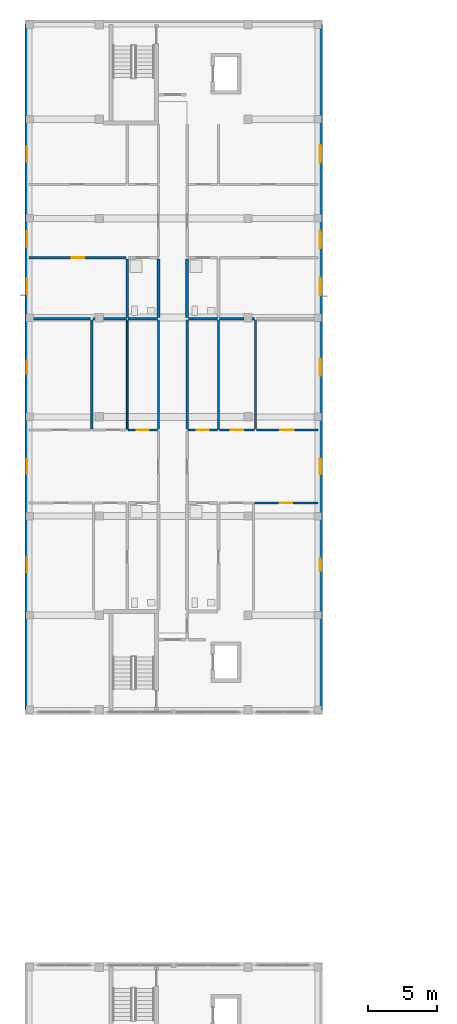
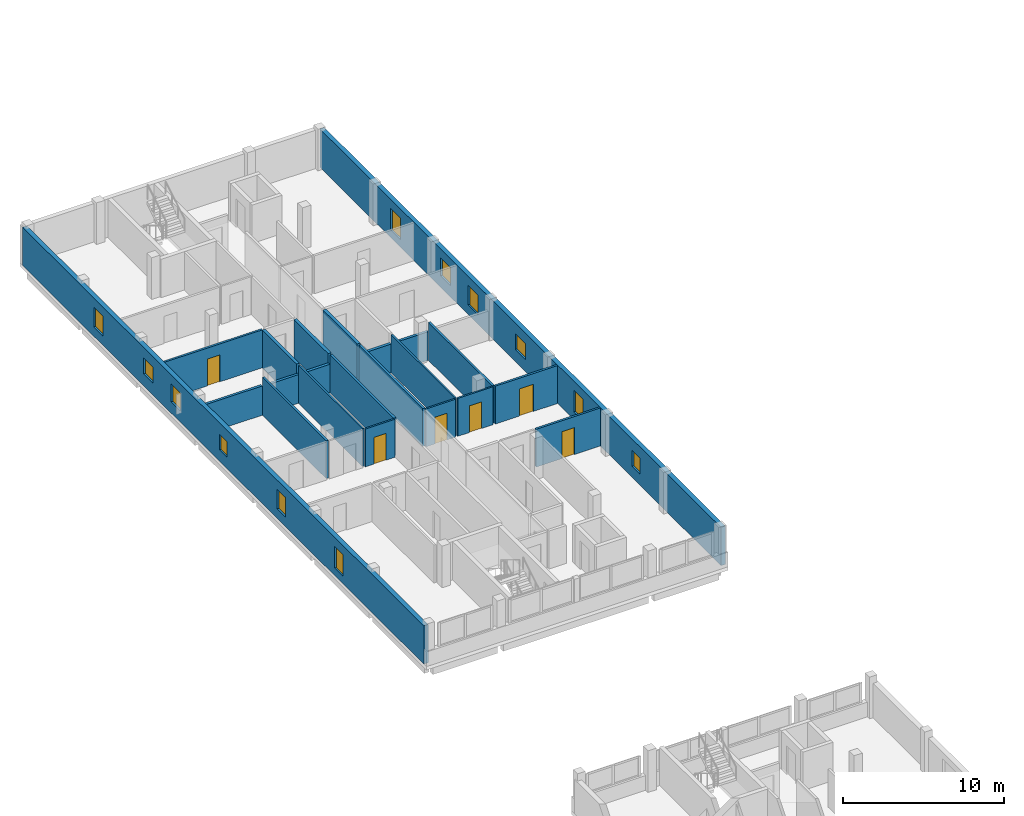
# One storey, part 17 of 38: 22 walls, 12 windows, 6 doors, 18 openings.
"""IFC4 building model written with IfcOpenShell, lengths in metres."""

from ifc_helpers import new_model, si_unit, derived_unit, direction, frame, frame_2d, origin, place, context, subcontext, project, spatial, rectangle, extrude, material, layer, layer_set, type_object, element, fill, save


model = new_model("IFC4")

# Units and contexts
model_context = context("Model", 3, precision=1e-05, world=origin(), true_north=direction((0.0, 1.0)))
body_context = subcontext(model_context, "Body", "Model", "MODEL_VIEW")
ifc_project = project(units=[si_unit("LENGTHUNIT", "METRE"), si_unit("AREAUNIT", "SQUARE_METRE"), si_unit("VOLUMEUNIT", "CUBIC_METRE"), si_unit("PLANEANGLEUNIT", "RADIAN"), si_unit("MASSUNIT", "GRAM", prefix="KILO"), derived_unit("THERMALTRANSMITTANCEUNIT", [(si_unit("MASSUNIT", "GRAM", prefix="KILO"), 1), (si_unit("TIMEUNIT", "SECOND"), -3), (si_unit("THERMODYNAMICTEMPERATUREUNIT", "KELVIN"), -1)])], contexts=[model_context])

# Site, building, storey
site_placement = place(None, origin())
site = spatial("IfcSite", under=ifc_project, at=site_placement, CompositionType="ELEMENT")
building_placement = place(site_placement, origin())
building = spatial("IfcBuilding", under=site, at=building_placement, Name="Ochrekiln Boulevard Commons", CompositionType="ELEMENT")
storey_placement = place(building_placement, frame((0.0, 0.0, 24.675048828125)))
storey = spatial("IfcBuildingStorey", under=building, at=storey_placement, Name="L07", CompositionType="ELEMENT", Elevation=24.675048828125)

# Wall, openings, windows
ifc_material_1 = material(Name="Desert ochre clinker brick masonry ASTM C216 Grade SW", Category="masonry")
ifc_layer_1 = layer(ifc_material_1, 0.320068359375)
ifc_layer_set_1 = layer_set([ifc_layer_1], Name="Desert ochre clinker brick masonry ASTM C216 Grade SW")
wall_type_1 = type_object("IfcWallType", Name="WL-EXT-OCHRE-320", PredefinedType="SOLIDWALL", material=ifc_layer_set_1)
wall_1_placement = place(storey_placement, frame((0.159912109375, 68.719970703125, 0.0), z_axis=(0.0, 0.0, 1.0), x_axis=(0.0, 1.0, 0.0)))
wall_1 = element("IfcWall", 1, at=wall_1_placement, inside=storey, type_object=wall_type_1, Name="Block A L07 W Exterior Wall", PredefinedType="SOLIDWALL", context=body_context, shape_type="SweptSolid", body=[
    extrude(rectangle(XDim=49.760009765625, YDim=0.320068359375, at=frame_2d((24.8798828125, 0.0))), origin(), (0.0, 0.0, 1.0), 2.89990234375),
])
opening_1_placement = place(wall_1_placement, frame((17.155029296875, 0.0, 0.715087890625)))
opening_1 = element("IfcOpeningElement", 2, at=opening_1_placement, cuts=wall_1, Name="Opening W-08", PredefinedType="OPENING", context=body_context, shape_type="SweptSolid", body=[
    extrude(rectangle(XDim=1.050048828125, YDim=1.5, at=frame_2d((0.52490234375, 0.75))), frame((0.0, 0.169921875, 0.0), z_axis=(0.0, -1.0, 0.0), x_axis=(1.0, 0.0, 0.0)), (0.0, 0.0, 1.0), 0.340087890625),
])
opening_2_placement = place(wall_1_placement, frame((10.02001953125, 0.0, 0.56494140625)))
opening_2 = element("IfcOpeningElement", 3, at=opening_2_placement, cuts=wall_1, Name="Opening W-09", PredefinedType="OPENING", context=body_context, shape_type="SweptSolid", body=[
    extrude(rectangle(XDim=1.050048828125, YDim=1.64990234375, at=frame_2d((0.52490234375, 0.824951171875))), frame((0.0, 0.169921875, 0.0), z_axis=(0.0, -1.0, 0.0), x_axis=(1.0, 0.0, 0.0)), (0.0, 0.0, 1.0), 0.340087890625),
])
opening_3_placement = place(wall_1_placement, frame((24.405029296875, 0.0, 0.85009765625)))
opening_3 = element("IfcOpeningElement", 4, at=opening_3_placement, cuts=wall_1, Name="Opening W-01", PredefinedType="OPENING", context=body_context, shape_type="SweptSolid", body=[
    extrude(rectangle(XDim=0.949951171875, YDim=1.199951171875, at=frame_2d((0.47509765625, 0.60009765625))), frame((0.0, 0.169921875, 0.0), z_axis=(0.0, -1.0, 0.0), x_axis=(1.0, 0.0, 0.0)), (0.0, 0.0, 1.0), 0.340087890625),
])
opening_4_placement = place(wall_1_placement, frame((33.583984375, 0.0, 0.89990234375)))
opening_4 = element("IfcOpeningElement", 5, at=opening_4_placement, cuts=wall_1, Name="Opening W-11", PredefinedType="OPENING", context=body_context, shape_type="SweptSolid", body=[
    extrude(rectangle(XDim=1.14990234375, YDim=1.199951171875, at=frame_2d((0.574951171875, 0.60009765625))), frame((0.0, 0.169921875, 0.0), z_axis=(0.0, -1.0, 0.0), x_axis=(1.0, 0.0, 0.0)), (0.0, 0.0, 1.0), 0.340087890625),
])
opening_5_placement = place(wall_1_placement, frame((30.174072265625, 0.0, 0.864990234375)))
opening_5 = element("IfcOpeningElement", 6, at=opening_5_placement, cuts=wall_1, Name="Opening W-12", PredefinedType="OPENING", context=body_context, shape_type="SweptSolid", body=[
    extrude(rectangle(XDim=1.14990234375, YDim=1.35009765625, at=frame_2d((0.574951171875, 0.675048828125))), frame((0.0, 0.169921875, 0.0), z_axis=(0.0, -1.0, 0.0), x_axis=(1.0, 0.0, 0.0)), (0.0, 0.0, 1.0), 0.340087890625),
])
opening_6_placement = place(wall_1_placement, frame((39.77587890625, 0.0, 0.715087890625)))
opening_6 = element("IfcOpeningElement", 7, at=opening_6_placement, cuts=wall_1, Name="Opening W-13", PredefinedType="OPENING", context=body_context, shape_type="SweptSolid", body=[
    extrude(rectangle(XDim=1.14990234375, YDim=1.5, at=frame_2d((0.574951171875, 0.75))), frame((0.0, 0.169921875, 0.0), z_axis=(0.0, -1.0, 0.0), x_axis=(1.0, 0.0, 0.0)), (0.0, 0.0, 1.0), 0.340087890625),
])
ifc_material_2 = material(Name="Thermally broken aluminium-clad oak frame", Category="aluminium")
window_type_1 = type_object("IfcWindowType", Name="WIN-EXT-01", PartitioningType="SINGLE_PANEL", PredefinedType="WINDOW", material=ifc_material_2)
window_1_placement = place(opening_3_placement, origin())
window_1 = element("IfcWindow", 8, at=window_1_placement, inside=storey, type_object=window_type_1, Name="Block A L07 Punched Masonry Window W-01", OverallHeight=1.199951171875, OverallWidth=0.949951171875, PartitioningType="SINGLE_PANEL", PredefinedType="WINDOW", context=body_context, shape_type="SweptSolid", body=[
    extrude(rectangle(XDim=0.949951171875, YDim=1.199951171875, at=frame_2d((0.47509765625, 0.60009765625))), frame((0.0, 0.030029296875, 0.0), z_axis=(0.0, -1.0, 0.0), x_axis=(1.0, 0.0, 0.0)), (0.0, 0.0, 1.0), 0.06005859375),
])
fill(opening_3, window_1)
window_type_2 = type_object("IfcWindowType", Name="WIN-EXT-08", PartitioningType="SINGLE_PANEL", PredefinedType="WINDOW", material=ifc_material_2)
window_2_placement = place(opening_1_placement, origin())
window_2 = element("IfcWindow", 9, at=window_2_placement, inside=storey, type_object=window_type_2, Name="Block A L07 Punched Masonry Window W-08", OverallHeight=1.5, OverallWidth=1.050048828125, PartitioningType="SINGLE_PANEL", PredefinedType="WINDOW", context=body_context, shape_type="SweptSolid", body=[
    extrude(rectangle(XDim=1.050048828125, YDim=1.5, at=frame_2d((0.52490234375, 0.75))), frame((0.0, 0.030029296875, 0.0), z_axis=(0.0, -1.0, 0.0), x_axis=(1.0, 0.0, 0.0)), (0.0, 0.0, 1.0), 0.06005859375),
])
fill(opening_1, window_2)
window_type_3 = type_object("IfcWindowType", Name="WIN-EXT-09", PartitioningType="SINGLE_PANEL", PredefinedType="WINDOW", material=ifc_material_2)
window_3_placement = place(opening_2_placement, origin())
window_3 = element("IfcWindow", 10, at=window_3_placement, inside=storey, type_object=window_type_3, Name="Block A L07 Punched Masonry Window W-09", OverallHeight=1.64990234375, OverallWidth=1.050048828125, PartitioningType="SINGLE_PANEL", PredefinedType="WINDOW", context=body_context, shape_type="SweptSolid", body=[
    extrude(rectangle(XDim=1.050048828125, YDim=1.64990234375, at=frame_2d((0.52490234375, 0.824951171875))), frame((0.0, 0.030029296875, 0.0), z_axis=(0.0, -1.0, 0.0), x_axis=(1.0, 0.0, 0.0)), (0.0, 0.0, 1.0), 0.06005859375),
])
fill(opening_2, window_3)
window_type_4 = type_object("IfcWindowType", Name="WIN-EXT-11", PartitioningType="SINGLE_PANEL", PredefinedType="WINDOW", material=ifc_material_2)
window_4_placement = place(opening_4_placement, origin())
window_4 = element("IfcWindow", 11, at=window_4_placement, inside=storey, type_object=window_type_4, Name="Block A L07 Punched Masonry Window W-11", OverallHeight=1.199951171875, OverallWidth=1.14990234375, PartitioningType="SINGLE_PANEL", PredefinedType="WINDOW", context=body_context, shape_type="SweptSolid", body=[
    extrude(rectangle(XDim=1.14990234375, YDim=1.199951171875, at=frame_2d((0.574951171875, 0.60009765625))), frame((0.0, 0.030029296875, 0.0), z_axis=(0.0, -1.0, 0.0), x_axis=(1.0, 0.0, 0.0)), (0.0, 0.0, 1.0), 0.06005859375),
])
fill(opening_4, window_4)
window_type_5 = type_object("IfcWindowType", Name="WIN-EXT-12", PartitioningType="SINGLE_PANEL", PredefinedType="WINDOW", material=ifc_material_2)
window_5_placement = place(opening_5_placement, origin())
window_5 = element("IfcWindow", 12, at=window_5_placement, inside=storey, type_object=window_type_5, Name="Block A L07 Punched Masonry Window W-12", OverallHeight=1.35009765625, OverallWidth=1.14990234375, PartitioningType="SINGLE_PANEL", PredefinedType="WINDOW", context=body_context, shape_type="SweptSolid", body=[
    extrude(rectangle(XDim=1.14990234375, YDim=1.35009765625, at=frame_2d((0.574951171875, 0.675048828125))), frame((0.0, 0.030029296875, 0.0), z_axis=(0.0, -1.0, 0.0), x_axis=(1.0, 0.0, 0.0)), (0.0, 0.0, 1.0), 0.06005859375),
])
fill(opening_5, window_5)
window_type_6 = type_object("IfcWindowType", Name="WIN-EXT-13", PartitioningType="SINGLE_PANEL", PredefinedType="WINDOW", material=ifc_material_2)
window_6_placement = place(opening_6_placement, origin())
window_6 = element("IfcWindow", 13, at=window_6_placement, inside=storey, type_object=window_type_6, Name="Block A L07 Punched Masonry Window W-13", OverallHeight=1.5, OverallWidth=1.14990234375, PartitioningType="SINGLE_PANEL", PredefinedType="WINDOW", context=body_context, shape_type="SweptSolid", body=[
    extrude(rectangle(XDim=1.14990234375, YDim=1.5, at=frame_2d((0.574951171875, 0.75))), frame((0.0, 0.030029296875, 0.0), z_axis=(0.0, -1.0, 0.0), x_axis=(1.0, 0.0, 0.0)), (0.0, 0.0, 1.0), 0.06005859375),
])
fill(opening_6, window_6)

wall_2_placement = place(storey_placement, frame((21.43994140625, 68.719970703125, 0.0), z_axis=(0.0, 0.0, 1.0), x_axis=(0.0, 1.0, 0.0)))
wall_2 = element("IfcWall", 14, at=wall_2_placement, inside=storey, type_object=wall_type_1, Name="Block A L07 E Exterior Wall", PredefinedType="SOLIDWALL", context=body_context, shape_type="SweptSolid", body=[
    extrude(rectangle(XDim=49.760009765625, YDim=0.320068359375, at=frame_2d((24.8798828125, 0.0))), origin(), (0.0, 0.0, 1.0), 2.89990234375),
])
opening_7_placement = place(wall_2_placement, frame((17.10498046875, 0.0, 0.56494140625)))
opening_7 = element("IfcOpeningElement", 15, at=opening_7_placement, cuts=wall_2, Name="Opening W-14", PredefinedType="OPENING", context=body_context, shape_type="SweptSolid", body=[
    extrude(rectangle(XDim=1.14990234375, YDim=1.64990234375, at=frame_2d((0.574951171875, 0.824951171875))), frame((0.0, 0.169921875, 0.0), z_axis=(0.0, -1.0, 0.0), x_axis=(1.0, 0.0, 0.0)), (0.0, 0.0, 1.0), 0.340087890625),
])
opening_8_placement = place(wall_2_placement, frame((10.070068359375, 0.0, 0.85009765625)))
opening_8 = element("IfcOpeningElement", 16, at=opening_8_placement, cuts=wall_2, Name="Opening W-01", PredefinedType="OPENING", context=body_context, shape_type="SweptSolid", body=[
    extrude(rectangle(XDim=0.949951171875, YDim=1.199951171875, at=frame_2d((0.47509765625, 0.60009765625))), frame((0.0, 0.169921875, 0.0), z_axis=(0.0, -1.0, 0.0), x_axis=(1.0, 0.0, 0.0)), (0.0, 0.0, 1.0), 0.340087890625),
])
opening_9_placement = place(wall_2_placement, frame((24.2548828125, 0.0, 0.89990234375)))
opening_9 = element("IfcOpeningElement", 17, at=opening_9_placement, cuts=wall_2, Name="Opening W-16", PredefinedType="OPENING", context=body_context, shape_type="SweptSolid", body=[
    extrude(rectangle(XDim=1.25, YDim=1.199951171875, at=frame_2d((0.625, 0.60009765625))), frame((0.0, 0.169921875, 0.0), z_axis=(0.0, -1.0, 0.0), x_axis=(1.0, 0.0, 0.0)), (0.0, 0.0, 1.0), 0.340087890625),
])
opening_10_placement = place(wall_2_placement, frame((33.533935546875, 0.0, 0.864990234375)))
opening_10 = element("IfcOpeningElement", 18, at=opening_10_placement, cuts=wall_2, Name="Opening W-17", PredefinedType="OPENING", context=body_context, shape_type="SweptSolid", body=[
    extrude(rectangle(XDim=1.25, YDim=1.35009765625, at=frame_2d((0.625, 0.675048828125))), frame((0.0, 0.169921875, 0.0), z_axis=(0.0, -1.0, 0.0), x_axis=(1.0, 0.0, 0.0)), (0.0, 0.0, 1.0), 0.340087890625),
])
opening_11_placement = place(wall_2_placement, frame((30.1240234375, 0.0, 0.715087890625)))
opening_11 = element("IfcOpeningElement", 19, at=opening_11_placement, cuts=wall_2, Name="Opening W-18", PredefinedType="OPENING", context=body_context, shape_type="SweptSolid", body=[
    extrude(rectangle(XDim=1.25, YDim=1.5, at=frame_2d((0.625, 0.75))), frame((0.0, 0.169921875, 0.0), z_axis=(0.0, -1.0, 0.0), x_axis=(1.0, 0.0, 0.0)), (0.0, 0.0, 1.0), 0.340087890625),
])
opening_12_placement = place(wall_2_placement, frame((39.72705078125, 0.0, 0.56494140625)))
opening_12 = element("IfcOpeningElement", 20, at=opening_12_placement, cuts=wall_2, Name="Opening W-19", PredefinedType="OPENING", context=body_context, shape_type="SweptSolid", body=[
    extrude(rectangle(XDim=1.25, YDim=1.64990234375, at=frame_2d((0.625, 0.824951171875))), frame((0.0, 0.169921875, 0.0), z_axis=(0.0, -1.0, 0.0), x_axis=(1.0, 0.0, 0.0)), (0.0, 0.0, 1.0), 0.340087890625),
])
window_7_placement = place(opening_8_placement, origin())
window_7 = element("IfcWindow", 21, at=window_7_placement, inside=storey, type_object=window_type_1, Name="Block A L07 Punched Masonry Window W-01", OverallHeight=1.199951171875, OverallWidth=0.949951171875, PartitioningType="SINGLE_PANEL", PredefinedType="WINDOW", context=body_context, shape_type="SweptSolid", body=[
    extrude(rectangle(XDim=0.949951171875, YDim=1.199951171875, at=frame_2d((0.47509765625, 0.60009765625))), frame((0.0, 0.030029296875, 0.0), z_axis=(0.0, -1.0, 0.0), x_axis=(1.0, 0.0, 0.0)), (0.0, 0.0, 1.0), 0.06005859375),
])
fill(opening_8, window_7)
window_type_7 = type_object("IfcWindowType", Name="WIN-EXT-14", PartitioningType="SINGLE_PANEL", PredefinedType="WINDOW", material=ifc_material_2)
window_8_placement = place(opening_7_placement, origin())
window_8 = element("IfcWindow", 22, at=window_8_placement, inside=storey, type_object=window_type_7, Name="Block A L07 Punched Masonry Window W-14", OverallHeight=1.64990234375, OverallWidth=1.14990234375, PartitioningType="SINGLE_PANEL", PredefinedType="WINDOW", context=body_context, shape_type="SweptSolid", body=[
    extrude(rectangle(XDim=1.14990234375, YDim=1.64990234375, at=frame_2d((0.574951171875, 0.824951171875))), frame((0.0, 0.030029296875, 0.0), z_axis=(0.0, -1.0, 0.0), x_axis=(1.0, 0.0, 0.0)), (0.0, 0.0, 1.0), 0.06005859375),
])
fill(opening_7, window_8)
window_type_8 = type_object("IfcWindowType", Name="WIN-EXT-16", PartitioningType="SINGLE_PANEL", PredefinedType="WINDOW", material=ifc_material_2)
window_9_placement = place(opening_9_placement, origin())
window_9 = element("IfcWindow", 23, at=window_9_placement, inside=storey, type_object=window_type_8, Name="Block A L07 Punched Masonry Window W-16", OverallHeight=1.199951171875, OverallWidth=1.25, PartitioningType="SINGLE_PANEL", PredefinedType="WINDOW", context=body_context, shape_type="SweptSolid", body=[
    extrude(rectangle(XDim=1.25, YDim=1.199951171875, at=frame_2d((0.625, 0.60009765625))), frame((0.0, 0.030029296875, 0.0), z_axis=(0.0, -1.0, 0.0), x_axis=(1.0, 0.0, 0.0)), (0.0, 0.0, 1.0), 0.06005859375),
])
fill(opening_9, window_9)
window_type_9 = type_object("IfcWindowType", Name="WIN-EXT-17", PartitioningType="SINGLE_PANEL", PredefinedType="WINDOW", material=ifc_material_2)
window_10_placement = place(opening_10_placement, origin())
window_10 = element("IfcWindow", 24, at=window_10_placement, inside=storey, type_object=window_type_9, Name="Block A L07 Punched Masonry Window W-17", OverallHeight=1.35009765625, OverallWidth=1.25, PartitioningType="SINGLE_PANEL", PredefinedType="WINDOW", context=body_context, shape_type="SweptSolid", body=[
    extrude(rectangle(XDim=1.25, YDim=1.35009765625, at=frame_2d((0.625, 0.675048828125))), frame((0.0, 0.030029296875, 0.0), z_axis=(0.0, -1.0, 0.0), x_axis=(1.0, 0.0, 0.0)), (0.0, 0.0, 1.0), 0.06005859375),
])
fill(opening_10, window_10)
window_type_10 = type_object("IfcWindowType", Name="WIN-EXT-18", PartitioningType="SINGLE_PANEL", PredefinedType="WINDOW", material=ifc_material_2)
window_11_placement = place(opening_11_placement, origin())
window_11 = element("IfcWindow", 25, at=window_11_placement, inside=storey, type_object=window_type_10, Name="Block A L07 Punched Masonry Window W-18", OverallHeight=1.5, OverallWidth=1.25, PartitioningType="SINGLE_PANEL", PredefinedType="WINDOW", context=body_context, shape_type="SweptSolid", body=[
    extrude(rectangle(XDim=1.25, YDim=1.5, at=frame_2d((0.625, 0.75))), frame((0.0, 0.030029296875, 0.0), z_axis=(0.0, -1.0, 0.0), x_axis=(1.0, 0.0, 0.0)), (0.0, 0.0, 1.0), 0.06005859375),
])
fill(opening_11, window_11)
window_type_11 = type_object("IfcWindowType", Name="WIN-EXT-19", PartitioningType="SINGLE_PANEL", PredefinedType="WINDOW", material=ifc_material_2)
window_12_placement = place(opening_12_placement, origin())
window_12 = element("IfcWindow", 26, at=window_12_placement, inside=storey, type_object=window_type_11, Name="Block A L07 Punched Masonry Window W-19", OverallHeight=1.64990234375, OverallWidth=1.25, PartitioningType="SINGLE_PANEL", PredefinedType="WINDOW", context=body_context, shape_type="SweptSolid", body=[
    extrude(rectangle(XDim=1.25, YDim=1.64990234375, at=frame_2d((0.625, 0.824951171875))), frame((0.0, 0.030029296875, 0.0), z_axis=(0.0, -1.0, 0.0), x_axis=(1.0, 0.0, 0.0)), (0.0, 0.0, 1.0), 0.06005859375),
])
fill(opening_12, window_12)

# Walls
ifc_material_3 = material(Name="Moisture-resistant cementitious tile backer wall")
ifc_layer_2 = layer(ifc_material_3, 0.199951171875)
ifc_layer_set_2 = layer_set([ifc_layer_2], Name="Moisture-resistant cementitious tile backer wall")
wall_type_2 = type_object("IfcWallType", Name="WL-PLM-200", PredefinedType="PLUMBINGWALL", material=ifc_layer_set_2)
wall_3_placement = place(storey_placement, frame((7.5, 97.1201171875, 0.0), z_axis=(0.0, 0.0, 1.0), x_axis=(1.0, 0.0, 0.0)))
element("IfcWall", 27, at=wall_3_placement, inside=storey, type_object=wall_type_2, Name="L07 Interior Wall W-PW200", PredefinedType="PLUMBINGWALL", context=body_context, shape_type="SweptSolid", body=[
    extrude(rectangle(XDim=2.1279296875, YDim=0.199951171875, at=frame_2d((1.06396484375, 0.0))), origin(), (0.0, 0.0, 1.0), 2.169921875),
])
wall_4_placement = place(storey_placement, frame((7.43994140625, 97.2099609375, 0.0), z_axis=(0.0, 0.0, 1.0), x_axis=(0.0, 1.0, 0.0)))
element("IfcWall", 28, at=wall_4_placement, inside=storey, type_object=wall_type_2, Name="L07 Interior Wall W-PW200", PredefinedType="PLUMBINGWALL", context=body_context, shape_type="SweptSolid", body=[
    extrude(rectangle(XDim=4.257080078125, YDim=0.199951171875, at=frame_2d((2.12841796875, 0.0))), origin(), (0.0, 0.0, 1.0), 2.869873046875),
])
wall_5_placement = place(storey_placement, frame((11.8720703125, 97.1201171875, 0.0), z_axis=(0.0, 0.0, 1.0), x_axis=(1.0, 0.0, 0.0)))
element("IfcWall", 29, at=wall_5_placement, inside=storey, type_object=wall_type_2, Name="L07 Interior Wall W-PW200", PredefinedType="PLUMBINGWALL", context=body_context, shape_type="SweptSolid", body=[
    extrude(rectangle(XDim=2.1279296875, YDim=0.199951171875, at=frame_2d((1.06396484375, 0.0))), origin(), (0.0, 0.0, 1.0), 2.169921875),
])
ifc_layer_3 = layer(ifc_material_3, 0.219970703125)
ifc_layer_set_3 = layer_set([ifc_layer_3], Name="Moisture-resistant cementitious tile backer wall")
wall_type_3 = type_object("IfcWallType", Name="WL-PLM-220", PredefinedType="PLUMBINGWALL", material=ifc_layer_set_3)
for number, where, z_axis, x_axis, name in (
    (30, (9.7099609375, 97.2099609375, 0.0), (0.0, 0.0, 1.0), (0.0, 1.0, 0.0), "L07 Interior Wall W-PW220"),
    (31, (11.7900390625, 97.2099609375, 0.0), (0.0, 0.0, 1.0), (0.0, 1.0, 0.0), "L07 Interior Wall W-PW220"),
):
    element("IfcWall", number, at=place(storey_placement, frame(where, z_axis=z_axis, x_axis=x_axis)), inside=storey, type_object=wall_type_3, Name=name, PredefinedType="PLUMBINGWALL", context=body_context, shape_type="SweptSolid", body=[
        extrude(rectangle(XDim=4.257080078125, YDim=0.219970703125, at=frame_2d((2.12841796875, 0.0))), origin(), (0.0, 0.0, 1.0), 2.869873046875),
    ])
ifc_material_4 = material(Name="Fire-rated Type X gypsum board on steel studs", Category="steel")
ifc_layer_4 = layer(ifc_material_4, 0.1650390625)
ifc_layer_set_4 = layer_set([ifc_layer_4], Name="Fire-rated Type X gypsum board on steel studs")
wall_type_4 = type_object("IfcWallType", Name="WL-PT-CORR-165", PredefinedType="PARTITIONING", material=ifc_layer_set_4)
for number, where, z_axis, x_axis, name in (
    (32, (9.7099609375, 89.1298828125, 0.0), (0.0, 0.0, 1.0), (0.0, 1.0, 0.0), "L07 Interior Wall W-PC165"),
    (33, (11.7900390625, 89.1298828125, 0.0), (0.0, 0.0, 1.0), (0.0, 1.0, 0.0), "L07 Interior Wall W-PC165"),
):
    element("IfcWall", number, at=place(storey_placement, frame(where, z_axis=z_axis, x_axis=x_axis)), inside=storey, type_object=wall_type_4, Name=name, PredefinedType="PARTITIONING", context=body_context, shape_type="SweptSolid", body=[
        extrude(rectangle(XDim=7.900146484375, YDim=0.1650390625, at=frame_2d((3.9501953125, 0.0))), origin(), (0.0, 0.0, 1.0), 2.869873046875),
    ])
ifc_layer_5 = layer(ifc_material_4, 0.179931640625)
ifc_layer_set_5 = layer_set([ifc_layer_5], Name="Fire-rated Type X gypsum board on steel studs")
wall_type_5 = type_object("IfcWallType", Name="WL-PT-DEM-180", PredefinedType="PARTITIONING", material=ifc_layer_set_5)
wall_6_placement = place(storey_placement, frame((0.320068359375, 97.1201171875, 0.0), z_axis=(0.0, 0.0, 1.0), x_axis=(1.0, 0.0, 0.0)))
element("IfcWall", 34, at=wall_6_placement, inside=storey, type_object=wall_type_5, Name="L07 Interior Wall W-PD180", PredefinedType="PARTITIONING", context=body_context, shape_type="SweptSolid", body=[
    extrude(rectangle(XDim=4.4599609375, YDim=0.179931640625, at=frame_2d((2.22998046875, 0.0))), origin(), (0.0, 0.0, 1.0), 2.219970703125),
])
wall_7_placement = place(storey_placement, frame((4.93994140625, 97.1201171875, 0.0), z_axis=(0.0, 0.0, 1.0), x_axis=(1.0, 0.0, 0.0)))
element("IfcWall", 35, at=wall_7_placement, inside=storey, type_object=wall_type_5, Name="L07 Interior Wall W-PD180", PredefinedType="PARTITIONING", context=body_context, shape_type="SweptSolid", body=[
    extrude(rectangle(XDim=2.43994140625, YDim=0.179931640625, at=frame_2d((1.219970703125, 0.0))), origin(), (0.0, 0.0, 1.0), 2.169921875),
])
wall_8_placement = place(storey_placement, frame((14.1201171875, 97.1201171875, 0.0), z_axis=(0.0, 0.0, 1.0), x_axis=(1.0, 0.0, 0.0)))
element("IfcWall", 36, at=wall_8_placement, inside=storey, type_object=wall_type_5, Name="L07 Interior Wall W-PD180", PredefinedType="PARTITIONING", context=body_context, shape_type="SweptSolid", body=[
    extrude(rectangle(XDim=2.539794921875, YDim=0.179931640625, at=frame_2d((1.27001953125, 0.0))), origin(), (0.0, 0.0, 1.0), 2.169921875),
])

# Wall, opening, door
ifc_layer_6 = layer(ifc_material_4, 0.1201171875)
ifc_layer_set_6 = layer_set([ifc_layer_6], Name="Fire-rated Type X gypsum board on steel studs")
wall_type_6 = type_object("IfcWallType", Name="WL-PT-LGT-120", PredefinedType="PARTITIONING", material=ifc_layer_set_6)
wall_9_placement = place(storey_placement, frame((7.52001953125, 89.050048828125, 0.0), z_axis=(0.0, 0.0, 1.0), x_axis=(1.0, 0.0, 0.0)))
wall_9 = element("IfcWall", 37, at=wall_9_placement, inside=storey, type_object=wall_type_6, Name="L07 Interior Wall W-PL120", PredefinedType="PARTITIONING", context=body_context, shape_type="SweptSolid", body=[
    extrude(rectangle(XDim=2.10791015625, YDim=0.1201171875, at=frame_2d((1.053955078125, 0.0))), origin(), (0.0, 0.0, 1.0), 2.869873046875),
])
opening_13_placement = place(wall_9_placement, frame((0.610107421875, 0.0, 0.0)))
opening_13 = element("IfcOpeningElement", 38, at=opening_13_placement, cuts=wall_9, Name="Opening D-L07-904", PredefinedType="OPENING", context=body_context, shape_type="SweptSolid", body=[
    extrude(rectangle(XDim=0.8798828125, YDim=2.02001953125, at=frame_2d((0.43994140625, 1.010009765625))), frame((0.0, 0.070068359375, 0.0), z_axis=(0.0, -1.0, 0.0), x_axis=(1.0, 0.0, 0.0)), (0.0, 0.0, 1.0), 0.14013671875),
])
ifc_material_5 = material(Name="Solid core architectural oak door leaf")
door_type_1 = type_object("IfcDoorType", Name="DR-INT-KIT-088", OperationType="NOTDEFINED", PredefinedType="DOOR", material=ifc_material_5)
door_1_placement = place(opening_13_placement, origin())
door_1 = element("IfcDoor", 39, at=door_1_placement, inside=storey, type_object=door_type_1, Name="L07 Interior Door to Apartment Kitchen", OperationType="SINGLE_SWING_RIGHT", OverallHeight=2.02001953125, OverallWidth=0.8798828125, PredefinedType="DOOR", context=body_context, shape_type="SweptSolid", body=[
    extrude(rectangle(XDim=0.8798828125, YDim=2.02001953125, at=frame_2d((0.43994140625, 1.010009765625))), frame((0.0, 0.02490234375, 0.0), z_axis=(0.0, -1.0, 0.0), x_axis=(1.0, 0.0, 0.0)), (0.0, 0.0, 1.0), 0.050048828125),
])
fill(opening_13, door_1)

# Wall
wall_10_placement = place(storey_placement, frame((7.43994140625, 89.110107421875, 0.0), z_axis=(0.0, 0.0, 1.0), x_axis=(0.0, 1.0, 0.0)))
element("IfcWall", 40, at=wall_10_placement, inside=storey, type_object=wall_type_6, Name="L07 Interior Wall W-PL120", PredefinedType="PARTITIONING", context=body_context, shape_type="SweptSolid", body=[
    extrude(rectangle(XDim=7.919921875, YDim=0.1201171875, at=frame_2d((3.9599609375, 0.0))), origin(), (0.0, 0.0, 1.0), 2.869873046875),
])

# Wall, opening, door
wall_11_placement = place(storey_placement, frame((11.8720703125, 89.050048828125, 0.0), z_axis=(0.0, 0.0, 1.0), x_axis=(1.0, 0.0, 0.0)))
wall_11 = element("IfcWall", 41, at=wall_11_placement, inside=storey, type_object=wall_type_6, Name="L07 Interior Wall W-PL120", PredefinedType="PARTITIONING", context=body_context, shape_type="SweptSolid", body=[
    extrude(rectangle(XDim=2.10791015625, YDim=0.1201171875, at=frame_2d((1.053955078125, 0.0))), origin(), (0.0, 0.0, 1.0), 2.869873046875),
])
opening_14_placement = place(wall_11_placement, frame((0.617919921875, 0.0, 0.0)))
opening_14 = element("IfcOpeningElement", 42, at=opening_14_placement, cuts=wall_11, Name="Opening D-L07-915", PredefinedType="OPENING", context=body_context, shape_type="SweptSolid", body=[
    extrude(rectangle(XDim=0.8798828125, YDim=2.02001953125, at=frame_2d((0.43994140625, 1.010009765625))), frame((0.0, 0.070068359375, 0.0), z_axis=(0.0, -1.0, 0.0), x_axis=(1.0, 0.0, 0.0)), (0.0, 0.0, 1.0), 0.14013671875),
])
door_2_placement = place(opening_14_placement, origin())
door_2 = element("IfcDoor", 43, at=door_2_placement, inside=storey, type_object=door_type_1, Name="L07 Interior Door to Apartment Kitchen", OperationType="SINGLE_SWING_LEFT", OverallHeight=2.02001953125, OverallWidth=0.8798828125, PredefinedType="DOOR", context=body_context, shape_type="SweptSolid", body=[
    extrude(rectangle(XDim=0.8798828125, YDim=2.02001953125, at=frame_2d((0.43994140625, 1.010009765625))), frame((0.0, 0.02490234375, 0.0), z_axis=(0.0, -1.0, 0.0), x_axis=(1.0, 0.0, 0.0)), (0.0, 0.0, 1.0), 0.050048828125),
])
fill(opening_14, door_2)

wall_12_placement = place(storey_placement, frame((14.139892578125, 89.050048828125, 0.0), z_axis=(0.0, 0.0, 1.0), x_axis=(1.0, 0.0, 0.0)))
wall_12 = element("IfcWall", 44, at=wall_12_placement, inside=storey, type_object=wall_type_6, Name="L07 Interior Wall W-PL120", PredefinedType="PARTITIONING", context=body_context, shape_type="SweptSolid", body=[
    extrude(rectangle(XDim=2.52001953125, YDim=0.1201171875, at=frame_2d((1.260009765625, 0.0))), origin(), (0.0, 0.0, 1.0), 2.869873046875),
])
opening_15_placement = place(wall_12_placement, frame((0.820068359375, 0.0, 0.0)))
opening_15 = element("IfcOpeningElement", 45, at=opening_15_placement, cuts=wall_12, Name="Opening D-L07-919", PredefinedType="OPENING", context=body_context, shape_type="SweptSolid", body=[
    extrude(rectangle(XDim=0.8798828125, YDim=2.02001953125, at=frame_2d((0.43994140625, 1.010009765625))), frame((0.0, 0.070068359375, 0.0), z_axis=(0.0, -1.0, 0.0), x_axis=(1.0, 0.0, 0.0)), (0.0, 0.0, 1.0), 0.14013671875),
])
door_3_placement = place(opening_15_placement, origin())
door_3 = element("IfcDoor", 46, at=door_3_placement, inside=storey, type_object=door_type_1, Name="L07 Interior Door to Apartment Walk-In Wardrobe", OperationType="SINGLE_SWING_LEFT", OverallHeight=2.02001953125, OverallWidth=0.8798828125, PredefinedType="DOOR", context=body_context, shape_type="SweptSolid", body=[
    extrude(rectangle(XDim=0.8798828125, YDim=2.02001953125, at=frame_2d((0.43994140625, 1.010009765625))), frame((0.0, 0.02490234375, 0.0), z_axis=(0.0, -1.0, 0.0), x_axis=(1.0, 0.0, 0.0)), (0.0, 0.0, 1.0), 0.050048828125),
])
fill(opening_15, door_3)

# Walls
wall_13_placement = place(storey_placement, frame((14.06005859375, 89.110107421875, 0.0), z_axis=(0.0, 0.0, 1.0), x_axis=(0.0, 1.0, 0.0)))
element("IfcWall", 47, at=wall_13_placement, inside=storey, type_object=wall_type_6, Name="L07 Interior Wall W-PL120", PredefinedType="PARTITIONING", context=body_context, shape_type="SweptSolid", body=[
    extrude(rectangle(XDim=7.919921875, YDim=0.1201171875, at=frame_2d((3.9599609375, 0.0))), origin(), (0.0, 0.0, 1.0), 2.869873046875),
])
ifc_layer_7 = layer(ifc_material_4, 0.14990234375)
ifc_layer_set_7 = layer_set([ifc_layer_7], Name="Fire-rated Type X gypsum board on steel studs")
wall_type_7 = type_object("IfcWallType", Name="WL-PT-STD-150", PredefinedType="PARTITIONING", material=ifc_layer_set_7)
wall_14_placement = place(storey_placement, frame((4.860107421875, 89.110107421875, 0.0), z_axis=(0.0, 0.0, 1.0), x_axis=(0.0, 1.0, 0.0)))
element("IfcWall", 48, at=wall_14_placement, inside=storey, type_object=wall_type_7, Name="L07 Interior Wall W-PS150", PredefinedType="PARTITIONING", context=body_context, shape_type="SweptSolid", body=[
    extrude(rectangle(XDim=7.919921875, YDim=0.14990234375, at=frame_2d((3.9599609375, 0.0))), origin(), (0.0, 0.0, 1.0), 2.869873046875),
])

# Wall, opening, door
wall_15_placement = place(storey_placement, frame((0.320068359375, 101.547119140625, 0.0), z_axis=(0.0, 0.0, 1.0), x_axis=(1.0, 0.0, 0.0)))
wall_15 = element("IfcWall", 49, at=wall_15_placement, inside=storey, type_object=wall_type_7, Name="L07 Interior Wall W-PS150", PredefinedType="PARTITIONING", context=body_context, shape_type="SweptSolid", body=[
    extrude(rectangle(XDim=7.0400390625, YDim=0.14990234375, at=frame_2d((3.52001953125, 0.0))), origin(), (0.0, 0.0, 1.0), 2.869873046875),
])
opening_16_placement = place(wall_15_placement, frame((3.0849609375, 0.0, 0.0)))
opening_16 = element("IfcOpeningElement", 50, at=opening_16_placement, cuts=wall_15, Name="Opening D-L07-912", PredefinedType="OPENING", context=body_context, shape_type="SweptSolid", body=[
    extrude(rectangle(XDim=0.89990234375, YDim=2.0400390625, at=frame_2d((0.449951171875, 1.02001953125))), frame((0.0, 0.0849609375, 0.0), z_axis=(0.0, -1.0, 0.0), x_axis=(1.0, 0.0, 0.0)), (0.0, 0.0, 1.0), 0.169921875),
])
door_type_2 = type_object("IfcDoorType", Name="DR-INT-BED-090", OperationType="NOTDEFINED", PredefinedType="DOOR", material=ifc_material_5)
door_4_placement = place(opening_16_placement, frame((0.89990234375, 0.0, 0.0), z_axis=(0.0, 0.0, 1.0), x_axis=(-1.0, 0.0, 0.0)))
door_4 = element("IfcDoor", 51, at=door_4_placement, inside=storey, type_object=door_type_2, Name="L07 Interior Door to Primary Apartment Bedroom", OperationType="SINGLE_SWING_RIGHT", OverallHeight=2.0400390625, OverallWidth=0.89990234375, PredefinedType="DOOR", context=body_context, shape_type="SweptSolid", body=[
    extrude(rectangle(XDim=0.89990234375, YDim=2.0400390625, at=frame_2d((0.449951171875, 1.02001953125))), frame((0.0, 0.02490234375, 0.0), z_axis=(0.0, -1.0, 0.0), x_axis=(1.0, 0.0, 0.0)), (0.0, 0.0, 1.0), 0.050048828125),
])
fill(opening_16, door_4)

wall_16_placement = place(storey_placement, frame((16.68701171875, 83.75, 0.0), z_axis=(0.0, 0.0, 1.0), x_axis=(1.0, 0.0, 0.0)))
wall_16 = element("IfcWall", 52, at=wall_16_placement, inside=storey, type_object=wall_type_7, Name="L07 Interior Wall W-PS150", PredefinedType="PARTITIONING", context=body_context, shape_type="SweptSolid", body=[
    extrude(rectangle(XDim=4.593017578125, YDim=0.14990234375, at=frame_2d((2.29638671875, 0.0))), origin(), (0.0, 0.0, 1.0), 2.869873046875),
])
opening_17_placement = place(wall_16_placement, frame((1.8310546875, 0.0, 0.0)))
opening_17 = element("IfcOpeningElement", 53, at=opening_17_placement, cuts=wall_16, Name="Opening D-L07-916", PredefinedType="OPENING", context=body_context, shape_type="SweptSolid", body=[
    extrude(rectangle(XDim=0.89990234375, YDim=2.0400390625, at=frame_2d((0.449951171875, 1.02001953125))), frame((0.0, 0.0849609375, 0.0), z_axis=(0.0, -1.0, 0.0), x_axis=(1.0, 0.0, 0.0)), (0.0, 0.0, 1.0), 0.169921875),
])
door_5_placement = place(opening_17_placement, frame((0.89990234375, 0.0, 0.0), z_axis=(0.0, 0.0, 1.0), x_axis=(-1.0, 0.0, 0.0)))
door_5 = element("IfcDoor", 54, at=door_5_placement, inside=storey, type_object=door_type_2, Name="L07 Interior Door to Primary Apartment Bedroom", OperationType="SINGLE_SWING_RIGHT", OverallHeight=2.0400390625, OverallWidth=0.89990234375, PredefinedType="DOOR", context=body_context, shape_type="SweptSolid", body=[
    extrude(rectangle(XDim=0.89990234375, YDim=2.0400390625, at=frame_2d((0.449951171875, 1.02001953125))), frame((0.0, 0.02490234375, 0.0), z_axis=(0.0, -1.0, 0.0), x_axis=(1.0, 0.0, 0.0)), (0.0, 0.0, 1.0), 0.050048828125),
])
fill(opening_17, door_5)

wall_17_placement = place(storey_placement, frame((16.820068359375, 89.050048828125, 0.0), z_axis=(0.0, 0.0, 1.0), x_axis=(1.0, 0.0, 0.0)))
wall_17 = element("IfcWall", 55, at=wall_17_placement, inside=storey, type_object=wall_type_7, Name="L07 Interior Wall W-PS150", PredefinedType="PARTITIONING", context=body_context, shape_type="SweptSolid", body=[
    extrude(rectangle(XDim=4.4599609375, YDim=0.14990234375, at=frame_2d((2.22998046875, 0.0))), origin(), (0.0, 0.0, 1.0), 2.869873046875),
])
opening_18_placement = place(wall_17_placement, frame((1.715087890625, 0.0, 0.0)))
opening_18 = element("IfcOpeningElement", 56, at=opening_18_placement, cuts=wall_17, Name="Opening D-L07-918", PredefinedType="OPENING", context=body_context, shape_type="SweptSolid", body=[
    extrude(rectangle(XDim=1.0, YDim=2.06005859375, at=frame_2d((0.5, 1.030029296875))), frame((0.0, 0.0849609375, 0.0), z_axis=(0.0, -1.0, 0.0), x_axis=(1.0, 0.0, 0.0)), (0.0, 0.0, 1.0), 0.169921875),
])
door_type_3 = type_object("IfcDoorType", Name="DR-INT-BED-100", OperationType="NOTDEFINED", PredefinedType="DOOR", material=ifc_material_5)
door_6_placement = place(opening_18_placement, origin())
door_6 = element("IfcDoor", 57, at=door_6_placement, inside=storey, type_object=door_type_3, Name="L07 Interior Door to Secondary Apartment Bedroom", OperationType="SINGLE_SWING_RIGHT", OverallHeight=2.06005859375, OverallWidth=1.0, PredefinedType="DOOR", context=body_context, shape_type="SweptSolid", body=[
    extrude(rectangle(XDim=1.0, YDim=2.06005859375, at=frame_2d((0.5, 1.030029296875))), frame((0.0, 0.02490234375, 0.0), z_axis=(0.0, -1.0, 0.0), x_axis=(1.0, 0.0, 0.0)), (0.0, 0.0, 1.0), 0.050048828125),
])
fill(opening_18, door_6)

# Wall
wall_18_placement = place(storey_placement, frame((16.739990234375, 89.110107421875, 0.0), z_axis=(0.0, 0.0, 1.0), x_axis=(0.0, 1.0, 0.0)))
element("IfcWall", 58, at=wall_18_placement, inside=storey, type_object=wall_type_7, Name="L07 Interior Wall W-PS150", PredefinedType="PARTITIONING", context=body_context, shape_type="SweptSolid", body=[
    extrude(rectangle(XDim=7.919921875, YDim=0.14990234375, at=frame_2d((3.9599609375, 0.0))), origin(), (0.0, 0.0, 1.0), 2.869873046875),
])

save(model, "model.ifc")
